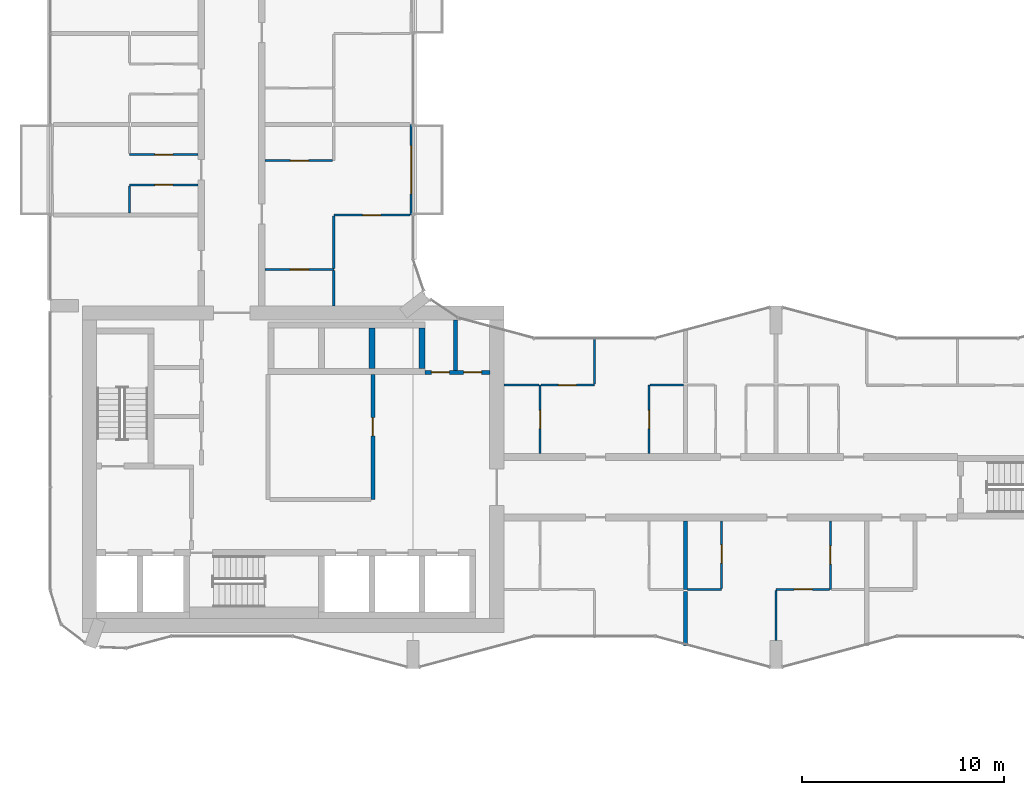
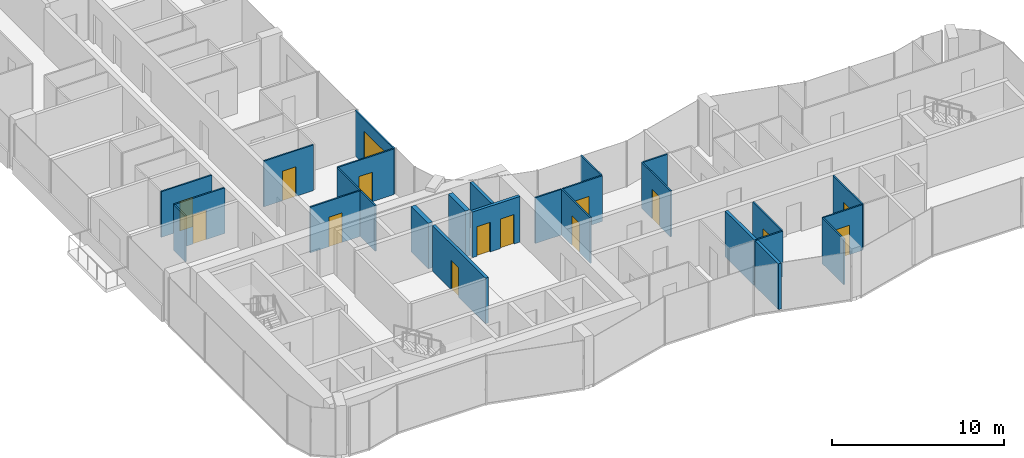
# One storey, part 14 of 23: 27 walls, 15 doors, 15 openings.
"""IFC4 building model written with IfcOpenShell, lengths in metres."""

import ifcopenshell
import ifcopenshell.guid

model = None  # the IFC model being written
_history = None  # IfcOwnerHistory: only IFC2X3 demands one
_inside = {}  # id of a spatial element -> (the spatial element, [elements in it])
_under = {}  # id of a project, library or spatial element -> (it, [spatial elements below it])
_declared = {}  # id of a project -> (the project, [libraries it declares])
_typed = {}  # id of a type object -> (the type object, [elements of that type])
_made_of = {}  # id of a material, layer set ... -> (it, [elements and type objects made of it])


def new_model(schema):
    """Start an empty IFC model of exactly this schema.

    Asked for "IFC4X3", IfcOpenShell would pick the latest addendum, in which some entities
    have other attributes; the version numbers below select the first issue.
    IFC2X3 requires an IfcOwnerHistory on every rooted entity: one is made here for all.
    """
    global model, _history
    if schema == "IFC4X3":
        model = ifcopenshell.file(schema_version=(4, 3, 0, 0))
    else:
        model = ifcopenshell.file(schema=schema)
    _inside.clear()
    _under.clear()
    _declared.clear()
    _typed.clear()
    _made_of.clear()
    _history = None
    if model.schema == "IFC2X3":
        org = make("IfcOrganization", Name="unknown")
        user = make(
            "IfcPersonAndOrganization",
            ThePerson=make("IfcPerson", FamilyName="unknown"),
            TheOrganization=org,
        )
        app = make(
            "IfcApplication",
            ApplicationDeveloper=org,
            Version="unknown",
            ApplicationFullName="unknown",
            ApplicationIdentifier="unknown",
        )
        _history = make(
            "IfcOwnerHistory",
            OwningUser=user,
            OwningApplication=app,
            ChangeAction="ADDED",
            CreationDate=0,
        )
    return model


def make(cls, **values):
    """One entity of the class cls with the attributes given. An attribute that is None is left unset."""
    return model.create_entity(
        cls, **{name: value for name, value in values.items() if value is not None}
    )


def rooted(cls, **values):
    """An entity with a GlobalId (a new one), such as an element, a storey or a relation."""
    return make(cls, GlobalId=ifcopenshell.guid.new(), OwnerHistory=_history, **values)


def si_unit(unit_type, name, prefix=None):
    """IfcSIUnit, for example si_unit("LENGTHUNIT", "METRE", prefix="MILLI")."""
    return make("IfcSIUnit", UnitType=unit_type, Prefix=prefix, Name=name)


def assignment(units):
    """IfcUnitAssignment: the units of a project."""
    return None if units is None else make("IfcUnitAssignment", Units=units)


def point(xyz):
    """IfcCartesianPoint."""
    return None if xyz is None else make("IfcCartesianPoint", Coordinates=xyz)


def direction(xyz):
    """IfcDirection."""
    return None if xyz is None else make("IfcDirection", DirectionRatios=xyz)


def frame(location, z_axis=None, x_axis=None):
    """IfcAxis2Placement3D, a coordinate frame: its origin and axes. An axis left out is left unset."""
    return make(
        "IfcAxis2Placement3D",
        Location=point(location),
        Axis=direction(z_axis),
        RefDirection=direction(x_axis),
    )


def frame_2d(location, x_axis=None):
    """IfcAxis2Placement2D, a coordinate frame in the plane: its origin and x axis."""
    return make(
        "IfcAxis2Placement2D", Location=point(location), RefDirection=direction(x_axis)
    )


def origin():
    """The frame at (0, 0, 0) with its axes left unset."""
    return frame((0.0, 0.0, 0.0))


def place(relative_to, where):
    """IfcLocalPlacement: puts the frame where relative to a parent placement (None: the world)."""
    return make(
        "IfcLocalPlacement", PlacementRelTo=relative_to, RelativePlacement=where
    )


def context(
    kind, dimensions, precision=None, world=None, true_north=None, identifier=None
):
    """IfcGeometricRepresentationContext, for example the 3D "Model" context."""
    return make(
        "IfcGeometricRepresentationContext",
        ContextIdentifier=identifier,
        ContextType=kind,
        CoordinateSpaceDimension=dimensions,
        Precision=precision,
        WorldCoordinateSystem=world,
        TrueNorth=true_north,
    )


def subcontext(parent, identifier, kind, view, scale=None):
    """IfcGeometricRepresentationSubContext, for example "Body" below "Model"."""
    return make(
        "IfcGeometricRepresentationSubContext",
        ContextIdentifier=identifier,
        ContextType=kind,
        ParentContext=parent,
        TargetScale=scale,
        TargetView=view,
    )


def project(units=None, contexts=None):
    """IfcProject with its units and contexts."""
    return rooted(
        "IfcProject",
        Name="project",
        RepresentationContexts=contexts,
        UnitsInContext=assignment(units),
    )


def spatial(cls, under=None, at=None, **own):
    """A site, building, storey or space (cls), placed at a placement, below another one or the project."""
    s = rooted(cls, ObjectPlacement=at, **own)
    if under is not None:
        _under.setdefault(under.id(), (under, []))[1].append(s)
    return s


def profile(cls, at=None, kind="AREA", **sizes):
    """A parametric profile (cls). Its sizes go by their IFC names, for example OverallWidth=200.0."""
    return make(cls, ProfileType=kind, Position=at, **sizes)


def rectangle(**sizes):
    """IfcRectangleProfileDef."""
    return profile("IfcRectangleProfileDef", **sizes)


def extrude(swept, where, along, depth):
    """IfcExtrudedAreaSolid: the profile swept, set in the frame where, extruded along a direction by depth."""
    return make(
        "IfcExtrudedAreaSolid",
        SweptArea=swept,
        Position=where,
        ExtrudedDirection=direction(along),
        Depth=depth,
    )


def shape(context_of_items, identifier, shape_type, items):
    """IfcShapeRepresentation: the items that make up one representation, for example the "Body"."""
    return make(
        "IfcShapeRepresentation",
        ContextOfItems=context_of_items,
        RepresentationIdentifier=identifier,
        RepresentationType=shape_type,
        Items=items,
    )


def material(Name=None, Category=None):
    """IfcMaterial."""
    return make("IfcMaterial", Name=Name, Category=Category)


def layer(
    of_material, thickness, ventilated=None, Name=None, Category=None, Priority=None
):
    """IfcMaterialLayer: one layer of a wall or slab, of a material (None: an air gap)."""
    return make(
        "IfcMaterialLayer",
        Material=of_material,
        LayerThickness=thickness,
        IsVentilated=ventilated,
        Name=Name,
        Category=Category,
        Priority=Priority,
    )


def layer_set(layers, Name=None):
    """IfcMaterialLayerSet."""
    return make("IfcMaterialLayerSet", MaterialLayers=layers, LayerSetName=Name)


def made_of(thing, what):
    """Note that an element or type object is made of a material, layer set ...; save() writes the relation."""
    if what is not None:
        _made_of.setdefault(what.id(), (what, []))[1].append(thing)
    return thing


def type_object(cls, material=None, **own):
    """A type object (cls), such as IfcWallType, which elements share."""
    return made_of(rooted(cls, **own), material)


def element(
    cls,
    number,
    at=None,
    inside=None,
    cuts=None,
    type_object=None,
    material=None,
    context=None,
    identifier="Body",
    shape_type=None,
    held_by="IfcProductDefinitionShape",
    body=None,
    shapes=None,
    **own,
):
    """One element of the class cls, such as IfcWall. Its Tag is "e" and its number.

    at: its placement. inside: the storey or other place that contains it. cuts: it is an
    opening in that element (IfcRelVoidsElement). A single representation is given by context,
    identifier, shape_type and body (its items); several are given by shapes. held_by: the class
    of the entity that holds the representations. save() writes the other relations.
    """
    e = rooted(cls, Tag="e%d" % number, ObjectPlacement=at, **own)
    if body is not None:
        shapes = [shape(context, identifier, shape_type, body)]
    if shapes is not None:
        e.Representation = make(held_by, Representations=shapes)
    if inside is not None:
        _inside.setdefault(inside.id(), (inside, []))[1].append(e)
    if cuts is not None:
        rooted(
            "IfcRelVoidsElement", RelatingBuildingElement=cuts, RelatedOpeningElement=e
        )
    if type_object is not None:
        _typed.setdefault(type_object.id(), (type_object, []))[1].append(e)
    return made_of(e, material)


def fill(opening, filler):
    """IfcRelFillsElement: the door or window that sits in an opening."""
    return rooted(
        "IfcRelFillsElement",
        RelatingOpeningElement=opening,
        RelatedBuildingElement=filler,
    )


def aggregate(whole, parts):
    """IfcRelAggregates: a whole, such as a stair, and the parts it consists of."""
    return rooted("IfcRelAggregates", RelatingObject=whole, RelatedObjects=parts)


def save(model, path):
    """Write the relations noted so far, then the file.

    IfcRelAggregates (storeys below a building ...), IfcRelContainedInSpatialStructure (elements
    in a storey), IfcRelDefinesByType, IfcRelAssociatesMaterial and IfcRelDeclares: one each for
    every whole, place, type object, material and project.
    """
    for whole, parts in _under.values():
        aggregate(whole, parts)
    for where, things in _inside.values():
        rooted(
            "IfcRelContainedInSpatialStructure",
            RelatedElements=things,
            RelatingStructure=where,
        )
    for kind, things in _typed.values():
        rooted("IfcRelDefinesByType", RelatedObjects=things, RelatingType=kind)
    for what, things in _made_of.values():
        rooted("IfcRelAssociatesMaterial", RelatedObjects=things, RelatingMaterial=what)
    for by, libraries in _declared.values():
        rooted("IfcRelDeclares", RelatingContext=by, RelatedDefinitions=libraries)
    model.write(path)


model = new_model("IFC4")

# Units and contexts
model_context = context("Model", 3, precision=1e-05, world=origin(), true_north=direction((0.0, 1.0)))
body_context = subcontext(model_context, "Body", "Model", "MODEL_VIEW")
ifc_project = project(units=[si_unit("LENGTHUNIT", "METRE"), si_unit("AREAUNIT", "SQUARE_METRE"), si_unit("VOLUMEUNIT", "CUBIC_METRE"), si_unit("PLANEANGLEUNIT", "RADIAN"), si_unit("MASSUNIT", "GRAM", prefix="KILO")], contexts=[model_context])

# Site, building, storey
site_placement = place(None, origin())
site = spatial("IfcSite", under=ifc_project, at=site_placement, CompositionType="ELEMENT")
building_placement = place(site_placement, origin())
building = spatial("IfcBuilding", under=site, at=building_placement, Name="Plateau Cross Towers", CompositionType="ELEMENT")
storey_placement = place(building_placement, frame((0.0, 0.0, 85.300048828125)))
storey = spatial("IfcBuildingStorey", under=building, at=storey_placement, Name="L21", CompositionType="ELEMENT", Elevation=85.300048828125)

# Wall, opening, door
ifc_material_1 = material(Name="Aluminium framed glazing", Category="aluminium")
ifc_layer_1 = layer(ifc_material_1, 0.10009765625)
ifc_layer_set_1 = layer_set([ifc_layer_1], Name="Aluminium framed glazing")
wall_type_1 = type_object("IfcWallType", Name="Balcony screen wall 100", PredefinedType="STANDARD", material=ifc_layer_set_1)
wall_1_placement = place(storey_placement, frame((17.89990234375, 27.0, 0.0), z_axis=(0.0, 0.0, 1.0), x_axis=(0.0, -1.0, 0.0)))
wall_1 = element("IfcWall", 1, at=wall_1_placement, inside=storey, type_object=wall_type_1, Name="Balcony screen wall A-BAL-L21-03", PredefinedType="STANDARD", context=body_context, shape_type="SweptSolid", body=[
    extrude(rectangle(XDim=4.5, YDim=0.10009765625, at=frame_2d((2.25, 0.0))), origin(), (0.0, 0.0, 1.0), 3.25),
])
opening_1_placement = place(wall_1_placement, frame((1.050048828125, 0.0, 0.0)))
opening_1 = element("IfcOpeningElement", 2, at=opening_1_placement, cuts=wall_1, Name="Opening D-B24", PredefinedType="OPENING", context=body_context, shape_type="SweptSolid", body=[
    extrude(rectangle(XDim=2.39990234375, YDim=2.39990234375, at=frame_2d((1.199951171875, 1.199951171875))), frame((0.0, 0.06005859375, 0.0), z_axis=(0.0, -1.0, 0.0), x_axis=(1.0, 0.0, 0.0)), (0.0, 0.0, 1.0), 0.1201171875),
])
ifc_material_2 = material(Name="Aluminium frame, double glazing", Category="aluminium")
door_type_1 = type_object("IfcDoorType", Name="Balcony sliding door 2400", OperationType="NOTDEFINED", PredefinedType="DOOR", material=ifc_material_2)
door_1_placement = place(opening_1_placement, origin())
door_1 = element("IfcDoor", 3, at=door_1_placement, inside=storey, type_object=door_type_1, Name="Balcony door A-BAL-L21-03", OperationType="SINGLE_SWING_LEFT", OverallHeight=2.39990234375, OverallWidth=2.39990234375, PredefinedType="DOOR", context=body_context, shape_type="SweptSolid", body=[
    extrude(rectangle(XDim=2.39990234375, YDim=2.39990234375, at=frame_2d((1.199951171875, 1.199951171875))), frame((0.0, 0.02490234375, 0.0), z_axis=(0.0, -1.0, 0.0), x_axis=(1.0, 0.0, 0.0)), (0.0, 0.0, 1.0), 0.050048828125),
])
fill(opening_1, door_1)

ifc_material_3 = material(Name="Concrete block, plastered both sides", Category="concrete")
ifc_layer_2 = layer(ifc_material_3, 0.199951171875)
ifc_layer_set_2 = layer_set([ifc_layer_2], Name="Concrete block, plastered both sides")
wall_type_2 = type_object("IfcWallType", Name="Core partition 200", PredefinedType="PARTITIONING", material=ifc_layer_set_2)
wall_2_placement = place(storey_placement, frame((16.0, 8.39990234375, 0.0), z_axis=(0.0, 0.0, 1.0), x_axis=(0.0, 1.0, 0.0)))
wall_2 = element("IfcWall", 4, at=wall_2_placement, inside=storey, type_object=wall_type_2, Name="Core partition", PredefinedType="PARTITIONING", context=body_context, shape_type="SweptSolid", body=[
    extrude(rectangle(XDim=6.2001953125, YDim=0.199951171875, at=frame_2d((3.10009765625, 0.0))), origin(), (0.0, 0.0, 1.0), 3.25),
])
opening_2_placement = place(wall_2_placement, frame((3.14990234375, 0.0, 0.0)))
opening_2 = element("IfcOpeningElement", 5, at=opening_2_placement, cuts=wall_2, Name="Opening RD1", PredefinedType="OPENING", context=body_context, shape_type="SweptSolid", body=[
    extrude(rectangle(XDim=0.89990234375, YDim=2.10009765625, at=frame_2d((0.449951171875, 1.050048828125))), frame((0.0, 0.10986328125, 0.0), z_axis=(0.0, -1.0, 0.0), x_axis=(1.0, 0.0, 0.0)), (0.0, 0.0, 1.0), 0.219970703125),
])
ifc_material_4 = material(Name="Timber, fire-resisting leaf", Category="wood")
door_type_2 = type_object("IfcDoorType", Name="Core service door 900", OperationType="NOTDEFINED", PredefinedType="DOOR", material=ifc_material_4)
door_2_placement = place(opening_2_placement, origin())
door_2 = element("IfcDoor", 6, at=door_2_placement, inside=storey, type_object=door_type_2, Name="Core service door RD1", OperationType="SINGLE_SWING_LEFT", OverallHeight=2.10009765625, OverallWidth=0.89990234375, PredefinedType="DOOR", context=body_context, shape_type="SweptSolid", body=[
    extrude(rectangle(XDim=0.89990234375, YDim=2.10009765625, at=frame_2d((0.449951171875, 1.050048828125))), frame((0.0, 0.02490234375, 0.0), z_axis=(0.0, -1.0, 0.0), x_axis=(1.0, 0.0, 0.0)), (0.0, 0.0, 1.0), 0.050048828125),
])
fill(opening_2, door_2)

# Wall, openings, doors
wall_3_placement = place(storey_placement, frame((18.60009765625, 14.699951171875, 0.0), z_axis=(0.0, 0.0, 1.0), x_axis=(1.0, 0.0, 0.0)))
wall_3 = element("IfcWall", 7, at=wall_3_placement, inside=storey, type_object=wall_type_2, Name="Core partition", PredefinedType="PARTITIONING", context=body_context, shape_type="SweptSolid", body=[
    extrude(rectangle(XDim=3.199951171875, YDim=0.199951171875, at=frame_2d((1.60009765625, 0.0))), origin(), (0.0, 0.0, 1.0), 3.25),
])
opening_3_placement = place(wall_3_placement, frame((0.300048828125, 0.0, 0.0)))
opening_3 = element("IfcOpeningElement", 8, at=opening_3_placement, cuts=wall_3, Name="Opening RD2", PredefinedType="OPENING", context=body_context, shape_type="SweptSolid", body=[
    extrude(rectangle(XDim=0.89990234375, YDim=2.10009765625, at=frame_2d((0.449951171875, 1.050048828125))), frame((0.0, 0.10986328125, 0.0), z_axis=(0.0, -1.0, 0.0), x_axis=(1.0, 0.0, 0.0)), (0.0, 0.0, 1.0), 0.219970703125),
])
opening_4_placement = place(wall_3_placement, frame((1.89990234375, 0.0, 0.0)))
opening_4 = element("IfcOpeningElement", 9, at=opening_4_placement, cuts=wall_3, Name="Opening RD2", PredefinedType="OPENING", context=body_context, shape_type="SweptSolid", body=[
    extrude(rectangle(XDim=0.89990234375, YDim=2.10009765625, at=frame_2d((0.449951171875, 1.050048828125))), frame((0.0, 0.10986328125, 0.0), z_axis=(0.0, -1.0, 0.0), x_axis=(1.0, 0.0, 0.0)), (0.0, 0.0, 1.0), 0.219970703125),
])
ifc_material_5 = material(Name="Steel, fire-resisting leaf", Category="steel")
door_type_3 = type_object("IfcDoorType", Name="Core riser door 900", OperationType="NOTDEFINED", PredefinedType="DOOR", material=ifc_material_5)
door_3_placement = place(opening_3_placement, origin())
door_3 = element("IfcDoor", 10, at=door_3_placement, inside=storey, type_object=door_type_3, Name="Core riser door RD2", OperationType="SINGLE_SWING_LEFT", OverallHeight=2.10009765625, OverallWidth=0.89990234375, PredefinedType="DOOR", context=body_context, shape_type="SweptSolid", body=[
    extrude(rectangle(XDim=0.89990234375, YDim=2.10009765625, at=frame_2d((0.449951171875, 1.050048828125))), frame((0.0, 0.02490234375, 0.0), z_axis=(0.0, -1.0, 0.0), x_axis=(1.0, 0.0, 0.0)), (0.0, 0.0, 1.0), 0.050048828125),
])
fill(opening_3, door_3)
door_4_placement = place(opening_4_placement, origin())
door_4 = element("IfcDoor", 11, at=door_4_placement, inside=storey, type_object=door_type_3, Name="Core riser door RD2", OperationType="SINGLE_SWING_LEFT", OverallHeight=2.10009765625, OverallWidth=0.89990234375, PredefinedType="DOOR", context=body_context, shape_type="SweptSolid", body=[
    extrude(rectangle(XDim=0.89990234375, YDim=2.10009765625, at=frame_2d((0.449951171875, 1.050048828125))), frame((0.0, 0.02490234375, 0.0), z_axis=(0.0, -1.0, 0.0), x_axis=(1.0, 0.0, 0.0)), (0.0, 0.0, 1.0), 0.050048828125),
])
fill(opening_4, door_4)

# Walls
wall_4_placement = place(storey_placement, frame((20.10009765625, 14.800048828125, 0.0), z_axis=(0.0, 0.0, 1.0), x_axis=(0.0, 1.0, 0.0)))
element("IfcWall", 12, at=wall_4_placement, inside=storey, type_object=wall_type_2, Name="Core partition", PredefinedType="PARTITIONING", context=body_context, shape_type="SweptSolid", body=[
    extrude(rectangle(XDim=2.5, YDim=0.199951171875, at=frame_2d((1.25, 0.0))), origin(), (0.0, 0.0, 1.0), 3.25),
])
ifc_material_6 = material(Name="Concrete C60/75", Category="concrete")
ifc_layer_3 = layer(ifc_material_6, 0.300048828125)
ifc_layer_set_3 = layer_set([ifc_layer_3], Name="Concrete C60/75")
wall_type_3 = type_object("IfcWallType", Name="Core shaft wall 300", PredefinedType="SHEAR", material=ifc_layer_set_3)
for number, where, z_axis, x_axis, name in (
    (13, (15.949951171875, 14.89990234375, 0.0), (0.0, 0.0, 1.0), (0.0, 1.0, 0.0), "A-nb-v3@L21"),
    (14, (18.449951171875, 14.89990234375, 0.0), (0.0, 0.0, 1.0), (0.0, 1.0, 0.0), "A-nb-v4@L21"),
):
    element("IfcWall", number, at=place(storey_placement, frame(where, z_axis=z_axis, x_axis=x_axis)), inside=storey, type_object=wall_type_3, Name=name, PredefinedType="SHEAR", context=body_context, shape_type="SweptSolid", body=[
        extrude(rectangle(XDim=2.0, YDim=0.300048828125, at=frame_2d((1.0, 0.0))), origin(), (0.0, 0.0, 1.0), 3.25),
    ])

# Wall, opening, door
ifc_material_7 = material(Name="Gypsum board on steel studs", Category="steel")
ifc_layer_4 = layer(ifc_material_7, 0.10009765625)
ifc_layer_set_4 = layer_set([ifc_layer_4], Name="Gypsum board on steel studs")
wall_type_4 = type_object("IfcWallType", Name="Flat partition 100", PredefinedType="PARTITIONING", material=ifc_layer_set_4)
wall_5_placement = place(storey_placement, frame((38.64990234375, 3.9375, 0.0), z_axis=(0.0, 0.0, 1.0), x_axis=(-1.0, 0.0, 0.0)))
wall_5 = element("IfcWall", 15, at=wall_5_placement, inside=storey, type_object=wall_type_4, Name="Partition wall", PredefinedType="PARTITIONING", context=body_context, shape_type="SweptSolid", body=[
    extrude(rectangle(XDim=2.64990234375, YDim=0.10009765625, at=frame_2d((1.324951171875, 0.0))), origin(), (0.0, 0.0, 1.0), 3.25),
])
opening_5_placement = place(wall_5_placement, frame((0.85009765625, 0.0, 0.0)))
opening_5 = element("IfcOpeningElement", 16, at=opening_5_placement, cuts=wall_5, Name="Opening 21-23", PredefinedType="OPENING", context=body_context, shape_type="SweptSolid", body=[
    extrude(rectangle(XDim=0.89990234375, YDim=2.10009765625, at=frame_2d((0.449951171875, 1.050048828125))), frame((0.0, 0.06005859375, 0.0), z_axis=(0.0, -1.0, 0.0), x_axis=(1.0, 0.0, 0.0)), (0.0, 0.0, 1.0), 0.1201171875),
])
ifc_material_8 = material(Name="Timber leaf", Category="wood")
door_type_4 = type_object("IfcDoorType", Name="Flat room door 900", OperationType="NOTDEFINED", PredefinedType="DOOR", material=ifc_material_8)
door_5_placement = place(opening_5_placement, origin())
door_5 = element("IfcDoor", 17, at=door_5_placement, inside=storey, type_object=door_type_4, Name="Door 21-23", OperationType="SINGLE_SWING_LEFT", OverallHeight=2.10009765625, OverallWidth=0.89990234375, PredefinedType="DOOR", context=body_context, shape_type="SweptSolid", body=[
    extrude(rectangle(XDim=0.89990234375, YDim=2.10009765625, at=frame_2d((0.449951171875, 1.050048828125))), frame((0.0, 0.02490234375, 0.0), z_axis=(0.0, -1.0, 0.0), x_axis=(1.0, 0.0, 0.0)), (0.0, 0.0, 1.0), 0.050048828125),
])
fill(opening_5, door_5)

# Walls
wall_6_placement = place(storey_placement, frame((31.60009765625, 3.9375, 0.0), z_axis=(0.0, 0.0, 1.0), x_axis=(1.0, 0.0, 0.0)))
element("IfcWall", 18, at=wall_6_placement, inside=storey, type_object=wall_type_4, Name="Partition wall", PredefinedType="PARTITIONING", context=body_context, shape_type="SweptSolid", body=[
    extrude(rectangle(XDim=1.699951171875, YDim=0.10009765625, at=frame_2d((0.85009765625, 0.0))), origin(), (0.0, 0.0, 1.0), 3.25),
])
wall_7_placement = place(storey_placement, frame((24.25, 14.0625, 0.0), z_axis=(0.0, 0.0, 1.0), x_axis=(-1.0, 0.0, 0.0)))
element("IfcWall", 19, at=wall_7_placement, inside=storey, type_object=wall_type_4, Name="Partition wall", PredefinedType="PARTITIONING", context=body_context, shape_type="SweptSolid", body=[
    extrude(rectangle(XDim=1.75, YDim=0.10009765625, at=frame_2d((0.875, 0.0))), origin(), (0.0, 0.0, 1.0), 3.25),
])
wall_8_placement = place(storey_placement, frame((31.39990234375, 14.0625, 0.0), z_axis=(0.0, 0.0, 1.0), x_axis=(-1.0, 0.0, 0.0)))
element("IfcWall", 20, at=wall_8_placement, inside=storey, type_object=wall_type_4, Name="Partition wall", PredefinedType="PARTITIONING", context=body_context, shape_type="SweptSolid", body=[
    extrude(rectangle(XDim=1.64990234375, YDim=0.10009765625, at=frame_2d((0.824951171875, 0.0))), origin(), (0.0, 0.0, 1.0), 3.25),
])

# Wall, opening, door
wall_9_placement = place(storey_placement, frame((24.35009765625, 14.0625, 0.0), z_axis=(0.0, 0.0, 1.0), x_axis=(1.0, 0.0, 0.0)))
wall_9 = element("IfcWall", 21, at=wall_9_placement, inside=storey, type_object=wall_type_4, Name="Partition wall", PredefinedType="PARTITIONING", context=body_context, shape_type="SweptSolid", body=[
    extrude(rectangle(XDim=2.64990234375, YDim=0.10009765625, at=frame_2d((1.324951171875, 0.0))), origin(), (0.0, 0.0, 1.0), 3.25),
])
opening_6_placement = place(wall_9_placement, frame((0.85009765625, 0.0, 0.0)))
opening_6 = element("IfcOpeningElement", 22, at=opening_6_placement, cuts=wall_9, Name="Opening 21-26", PredefinedType="OPENING", context=body_context, shape_type="SweptSolid", body=[
    extrude(rectangle(XDim=0.89990234375, YDim=2.10009765625, at=frame_2d((0.449951171875, 1.050048828125))), frame((0.0, 0.06005859375, 0.0), z_axis=(0.0, -1.0, 0.0), x_axis=(1.0, 0.0, 0.0)), (0.0, 0.0, 1.0), 0.1201171875),
])
door_6_placement = place(opening_6_placement, origin())
door_6 = element("IfcDoor", 23, at=door_6_placement, inside=storey, type_object=door_type_4, Name="Door 21-26", OperationType="SINGLE_SWING_LEFT", OverallHeight=2.10009765625, OverallWidth=0.89990234375, PredefinedType="DOOR", context=body_context, shape_type="SweptSolid", body=[
    extrude(rectangle(XDim=0.89990234375, YDim=2.10009765625, at=frame_2d((0.449951171875, 1.050048828125))), frame((0.0, 0.02490234375, 0.0), z_axis=(0.0, -1.0, 0.0), x_axis=(1.0, 0.0, 0.0)), (0.0, 0.0, 1.0), 0.050048828125),
])
fill(opening_6, door_6)

wall_10_placement = place(storey_placement, frame((14.0625, 19.800048828125, 0.0), z_axis=(0.0, 0.0, 1.0), x_axis=(-1.0, 0.0, 0.0)))
wall_10 = element("IfcWall", 24, at=wall_10_placement, inside=storey, type_object=wall_type_4, Name="Partition wall", PredefinedType="PARTITIONING", context=body_context, shape_type="SweptSolid", body=[
    extrude(rectangle(XDim=3.39990234375, YDim=0.10009765625, at=frame_2d((1.699951171875, 0.0))), origin(), (0.0, 0.0, 1.0), 3.25),
])
opening_7_placement = place(wall_10_placement, frame((1.25, 0.0, 0.0)))
opening_7 = element("IfcOpeningElement", 25, at=opening_7_placement, cuts=wall_10, Name="Opening 21-43", PredefinedType="OPENING", context=body_context, shape_type="SweptSolid", body=[
    extrude(rectangle(XDim=0.89990234375, YDim=2.10009765625, at=frame_2d((0.449951171875, 1.050048828125))), frame((0.0, 0.06005859375, 0.0), z_axis=(0.0, -1.0, 0.0), x_axis=(1.0, 0.0, 0.0)), (0.0, 0.0, 1.0), 0.1201171875),
])
door_7_placement = place(opening_7_placement, origin())
door_7 = element("IfcDoor", 26, at=door_7_placement, inside=storey, type_object=door_type_4, Name="Door 21-43", OperationType="SINGLE_SWING_LEFT", OverallHeight=2.10009765625, OverallWidth=0.89990234375, PredefinedType="DOOR", context=body_context, shape_type="SweptSolid", body=[
    extrude(rectangle(XDim=0.89990234375, YDim=2.10009765625, at=frame_2d((0.449951171875, 1.050048828125))), frame((0.0, 0.02490234375, 0.0), z_axis=(0.0, -1.0, 0.0), x_axis=(1.0, 0.0, 0.0)), (0.0, 0.0, 1.0), 0.050048828125),
])
fill(opening_7, door_7)

wall_11_placement = place(storey_placement, frame((17.85009765625, 22.5, 0.0), z_axis=(0.0, 0.0, 1.0), x_axis=(-1.0, 0.0, 0.0)))
wall_11 = element("IfcWall", 27, at=wall_11_placement, inside=storey, type_object=wall_type_4, Name="Partition wall", PredefinedType="PARTITIONING", context=body_context, shape_type="SweptSolid", body=[
    extrude(rectangle(XDim=3.78759765625, YDim=0.10009765625, at=frame_2d((1.893798828125, 0.0))), origin(), (0.0, 0.0, 1.0), 3.25),
])
opening_8_placement = place(wall_11_placement, frame((1.449951171875, 0.0, 0.0)))
opening_8 = element("IfcOpeningElement", 28, at=opening_8_placement, cuts=wall_11, Name="Opening 21-45", PredefinedType="OPENING", context=body_context, shape_type="SweptSolid", body=[
    extrude(rectangle(XDim=0.89990234375, YDim=2.10009765625, at=frame_2d((0.449951171875, 1.050048828125))), frame((0.0, 0.06005859375, 0.0), z_axis=(0.0, -1.0, 0.0), x_axis=(1.0, 0.0, 0.0)), (0.0, 0.0, 1.0), 0.1201171875),
])
door_8_placement = place(opening_8_placement, origin())
door_8 = element("IfcDoor", 29, at=door_8_placement, inside=storey, type_object=door_type_4, Name="Door 21-45", OperationType="SINGLE_SWING_RIGHT", OverallHeight=2.10009765625, OverallWidth=0.89990234375, PredefinedType="DOOR", context=body_context, shape_type="SweptSolid", body=[
    extrude(rectangle(XDim=0.89990234375, YDim=2.10009765625, at=frame_2d((0.449951171875, 1.050048828125))), frame((0.0, 0.02490234375, 0.0), z_axis=(0.0, -1.0, 0.0), x_axis=(1.0, 0.0, 0.0)), (0.0, 0.0, 1.0), 0.050048828125),
])
fill(opening_8, door_8)

wall_12_placement = place(storey_placement, frame((7.33740234375, 24.0, 0.0), z_axis=(0.0, 0.0, 1.0), x_axis=(-1.0, 0.0, 0.0)))
wall_12 = element("IfcWall", 30, at=wall_12_placement, inside=storey, type_object=wall_type_4, Name="Partition wall", PredefinedType="PARTITIONING", context=body_context, shape_type="SweptSolid", body=[
    extrude(rectangle(XDim=3.39990234375, YDim=0.10009765625, at=frame_2d((1.699951171875, 0.0))), origin(), (0.0, 0.0, 1.0), 3.25),
])
opening_9_placement = place(wall_12_placement, frame((1.25, 0.0, 0.0)))
opening_9 = element("IfcOpeningElement", 31, at=opening_9_placement, cuts=wall_12, Name="Opening 21-34", PredefinedType="OPENING", context=body_context, shape_type="SweptSolid", body=[
    extrude(rectangle(XDim=0.89990234375, YDim=2.10009765625, at=frame_2d((0.449951171875, 1.050048828125))), frame((0.0, 0.06005859375, 0.0), z_axis=(0.0, -1.0, 0.0), x_axis=(1.0, 0.0, 0.0)), (0.0, 0.0, 1.0), 0.1201171875),
])
door_9_placement = place(opening_9_placement, origin())
door_9 = element("IfcDoor", 32, at=door_9_placement, inside=storey, type_object=door_type_4, Name="Door 21-34", OperationType="SINGLE_SWING_LEFT", OverallHeight=2.10009765625, OverallWidth=0.89990234375, PredefinedType="DOOR", context=body_context, shape_type="SweptSolid", body=[
    extrude(rectangle(XDim=0.89990234375, YDim=2.10009765625, at=frame_2d((0.449951171875, 1.050048828125))), frame((0.0, 0.02490234375, 0.0), z_axis=(0.0, -1.0, 0.0), x_axis=(1.0, 0.0, 0.0)), (0.0, 0.0, 1.0), 0.050048828125),
])
fill(opening_9, door_9)

wall_13_placement = place(storey_placement, frame((10.66259765625, 25.199951171875, 0.0), z_axis=(0.0, 0.0, 1.0), x_axis=(1.0, 0.0, 0.0)))
wall_13 = element("IfcWall", 33, at=wall_13_placement, inside=storey, type_object=wall_type_4, Name="Partition wall", PredefinedType="PARTITIONING", context=body_context, shape_type="SweptSolid", body=[
    extrude(rectangle(XDim=3.349853515625, YDim=0.10009765625, at=frame_2d((1.6748046875, 0.0))), origin(), (0.0, 0.0, 1.0), 3.25),
])
opening_10_placement = place(wall_13_placement, frame((1.25, 0.0, 0.0)))
opening_10 = element("IfcOpeningElement", 34, at=opening_10_placement, cuts=wall_13, Name="Opening 21-44", PredefinedType="OPENING", context=body_context, shape_type="SweptSolid", body=[
    extrude(rectangle(XDim=0.89990234375, YDim=2.10009765625, at=frame_2d((0.449951171875, 1.050048828125))), frame((0.0, 0.06005859375, 0.0), z_axis=(0.0, -1.0, 0.0), x_axis=(1.0, 0.0, 0.0)), (0.0, 0.0, 1.0), 0.1201171875),
])
door_10_placement = place(opening_10_placement, origin())
door_10 = element("IfcDoor", 35, at=door_10_placement, inside=storey, type_object=door_type_4, Name="Door 21-44", OperationType="SINGLE_SWING_RIGHT", OverallHeight=2.10009765625, OverallWidth=0.89990234375, PredefinedType="DOOR", context=body_context, shape_type="SweptSolid", body=[
    extrude(rectangle(XDim=0.89990234375, YDim=2.10009765625, at=frame_2d((0.449951171875, 1.050048828125))), frame((0.0, 0.02490234375, 0.0), z_axis=(0.0, -1.0, 0.0), x_axis=(1.0, 0.0, 0.0)), (0.0, 0.0, 1.0), 0.050048828125),
])
fill(opening_10, door_10)

wall_14_placement = place(storey_placement, frame((3.9375, 25.5, 0.0), z_axis=(0.0, 0.0, 1.0), x_axis=(1.0, 0.0, 0.0)))
wall_14 = element("IfcWall", 36, at=wall_14_placement, inside=storey, type_object=wall_type_4, Name="Partition wall", PredefinedType="PARTITIONING", context=body_context, shape_type="SweptSolid", body=[
    extrude(rectangle(XDim=3.39990234375, YDim=0.10009765625, at=frame_2d((1.699951171875, 0.0))), origin(), (0.0, 0.0, 1.0), 3.25),
])
opening_11_placement = place(wall_14_placement, frame((1.25, 0.0, 0.0)))
opening_11 = element("IfcOpeningElement", 37, at=opening_11_placement, cuts=wall_14, Name="Opening 21-35", PredefinedType="OPENING", context=body_context, shape_type="SweptSolid", body=[
    extrude(rectangle(XDim=0.89990234375, YDim=2.10009765625, at=frame_2d((0.449951171875, 1.050048828125))), frame((0.0, 0.06005859375, 0.0), z_axis=(0.0, -1.0, 0.0), x_axis=(1.0, 0.0, 0.0)), (0.0, 0.0, 1.0), 0.1201171875),
])
door_11_placement = place(opening_11_placement, origin())
door_11 = element("IfcDoor", 38, at=door_11_placement, inside=storey, type_object=door_type_4, Name="Door 21-35", OperationType="SINGLE_SWING_LEFT", OverallHeight=2.10009765625, OverallWidth=0.89990234375, PredefinedType="DOOR", context=body_context, shape_type="SweptSolid", body=[
    extrude(rectangle(XDim=0.89990234375, YDim=2.10009765625, at=frame_2d((0.449951171875, 1.050048828125))), frame((0.0, 0.02490234375, 0.0), z_axis=(0.0, -1.0, 0.0), x_axis=(1.0, 0.0, 0.0)), (0.0, 0.0, 1.0), 0.050048828125),
])
fill(opening_11, door_11)

# Walls
wall_15_placement = place(storey_placement, frame((3.9375, 23.949951171875, 0.0), z_axis=(0.0, 0.0, 1.0), x_axis=(0.0, -1.0, 0.0)))
element("IfcWall", 39, at=wall_15_placement, inside=storey, type_object=wall_type_4, Name="Partition wall", PredefinedType="PARTITIONING", context=body_context, shape_type="SweptSolid", body=[
    extrude(rectangle(XDim=1.349853515625, YDim=0.10009765625, at=frame_2d((0.6748046875, 0.0))), origin(), (0.0, 0.0, 1.0), 3.25),
])
wall_16_placement = place(storey_placement, frame((14.0625, 22.449951171875, 0.0), z_axis=(0.0, 0.0, 1.0), x_axis=(0.0, -1.0, 0.0)))
element("IfcWall", 40, at=wall_16_placement, inside=storey, type_object=wall_type_4, Name="Partition wall", PredefinedType="PARTITIONING", context=body_context, shape_type="SweptSolid", body=[
    extrude(rectangle(XDim=2.599853515625, YDim=0.10009765625, at=frame_2d((1.2998046875, 0.0))), origin(), (0.0, 0.0, 1.0), 3.25),
])
wall_17_placement = place(storey_placement, frame((14.0625, 18.0, 0.0), z_axis=(0.0, 0.0, 1.0), x_axis=(0.0, 1.0, 0.0)))
element("IfcWall", 41, at=wall_17_placement, inside=storey, type_object=wall_type_4, Name="Partition wall", PredefinedType="PARTITIONING", context=body_context, shape_type="SweptSolid", body=[
    extrude(rectangle(XDim=1.75, YDim=0.10009765625, at=frame_2d((0.875, 0.0))), origin(), (0.0, 0.0, 1.0), 3.25),
])

# Wall, opening, door
wall_18_placement = place(storey_placement, frame((24.300048828125, 10.66259765625, 0.0), z_axis=(0.0, 0.0, 1.0), x_axis=(0.0, 1.0, 0.0)))
wall_18 = element("IfcWall", 42, at=wall_18_placement, inside=storey, type_object=wall_type_4, Name="Partition wall", PredefinedType="PARTITIONING", context=body_context, shape_type="SweptSolid", body=[
    extrude(rectangle(XDim=3.39990234375, YDim=0.10009765625, at=frame_2d((1.699951171875, 0.0))), origin(), (0.0, 0.0, 1.0), 3.25),
])
opening_12_placement = place(wall_18_placement, frame((1.25, 0.0, 0.0)))
opening_12 = element("IfcOpeningElement", 43, at=opening_12_placement, cuts=wall_18, Name="Opening 21-24", PredefinedType="OPENING", context=body_context, shape_type="SweptSolid", body=[
    extrude(rectangle(XDim=0.89990234375, YDim=2.10009765625, at=frame_2d((0.449951171875, 1.050048828125))), frame((0.0, 0.06005859375, 0.0), z_axis=(0.0, -1.0, 0.0), x_axis=(1.0, 0.0, 0.0)), (0.0, 0.0, 1.0), 0.1201171875),
])
door_12_placement = place(opening_12_placement, origin())
door_12 = element("IfcDoor", 44, at=door_12_placement, inside=storey, type_object=door_type_4, Name="Door 21-24", OperationType="SINGLE_SWING_LEFT", OverallHeight=2.10009765625, OverallWidth=0.89990234375, PredefinedType="DOOR", context=body_context, shape_type="SweptSolid", body=[
    extrude(rectangle(XDim=0.89990234375, YDim=2.10009765625, at=frame_2d((0.449951171875, 1.050048828125))), frame((0.0, 0.02490234375, 0.0), z_axis=(0.0, -1.0, 0.0), x_axis=(1.0, 0.0, 0.0)), (0.0, 0.0, 1.0), 0.050048828125),
])
fill(opening_12, door_12)

# Wall
wall_19_placement = place(storey_placement, frame((27.0, 14.112548828125, 0.0), z_axis=(0.0, 0.0, 1.0), x_axis=(0.0, 1.0, 0.0)))
element("IfcWall", 45, at=wall_19_placement, inside=storey, type_object=wall_type_4, Name="Partition wall", PredefinedType="PARTITIONING", context=body_context, shape_type="SweptSolid", body=[
    extrude(rectangle(XDim=2.360595703125, YDim=0.10009765625, at=frame_2d((1.18017578125, 0.0))), origin(), (0.0, 0.0, 1.0), 3.25),
])

# Wall, opening, door
wall_20_placement = place(storey_placement, frame((29.699951171875, 14.0625, 0.0), z_axis=(0.0, 0.0, 1.0), x_axis=(0.0, -1.0, 0.0)))
wall_20 = element("IfcWall", 46, at=wall_20_placement, inside=storey, type_object=wall_type_4, Name="Partition wall", PredefinedType="PARTITIONING", context=body_context, shape_type="SweptSolid", body=[
    extrude(rectangle(XDim=3.39990234375, YDim=0.10009765625, at=frame_2d((1.699951171875, 0.0))), origin(), (0.0, 0.0, 1.0), 3.25),
])
opening_13_placement = place(wall_20_placement, frame((1.25, 0.0, 0.0)))
opening_13 = element("IfcOpeningElement", 47, at=opening_13_placement, cuts=wall_20, Name="Opening 21-25", PredefinedType="OPENING", context=body_context, shape_type="SweptSolid", body=[
    extrude(rectangle(XDim=0.89990234375, YDim=2.10009765625, at=frame_2d((0.449951171875, 1.050048828125))), frame((0.0, 0.06005859375, 0.0), z_axis=(0.0, -1.0, 0.0), x_axis=(1.0, 0.0, 0.0)), (0.0, 0.0, 1.0), 0.1201171875),
])
door_13_placement = place(opening_13_placement, origin())
door_13 = element("IfcDoor", 48, at=door_13_placement, inside=storey, type_object=door_type_4, Name="Door 21-25", OperationType="SINGLE_SWING_LEFT", OverallHeight=2.10009765625, OverallWidth=0.89990234375, PredefinedType="DOOR", context=body_context, shape_type="SweptSolid", body=[
    extrude(rectangle(XDim=0.89990234375, YDim=2.10009765625, at=frame_2d((0.449951171875, 1.050048828125))), frame((0.0, 0.02490234375, 0.0), z_axis=(0.0, -1.0, 0.0), x_axis=(1.0, 0.0, 0.0)), (0.0, 0.0, 1.0), 0.050048828125),
])
fill(opening_13, door_13)

wall_21_placement = place(storey_placement, frame((33.300048828125, 3.987548828125, 0.0), z_axis=(0.0, 0.0, 1.0), x_axis=(0.0, 1.0, 0.0)))
wall_21 = element("IfcWall", 49, at=wall_21_placement, inside=storey, type_object=wall_type_4, Name="Partition wall", PredefinedType="PARTITIONING", context=body_context, shape_type="SweptSolid", body=[
    extrude(rectangle(XDim=3.349853515625, YDim=0.10009765625, at=frame_2d((1.6748046875, 0.0))), origin(), (0.0, 0.0, 1.0), 3.25),
])
opening_14_placement = place(wall_21_placement, frame((1.25, 0.0, 0.0)))
opening_14 = element("IfcOpeningElement", 50, at=opening_14_placement, cuts=wall_21, Name="Opening 21-21", PredefinedType="OPENING", context=body_context, shape_type="SweptSolid", body=[
    extrude(rectangle(XDim=0.89990234375, YDim=2.10009765625, at=frame_2d((0.449951171875, 1.050048828125))), frame((0.0, 0.06005859375, 0.0), z_axis=(0.0, -1.0, 0.0), x_axis=(1.0, 0.0, 0.0)), (0.0, 0.0, 1.0), 0.1201171875),
])
door_14_placement = place(opening_14_placement, origin())
door_14 = element("IfcDoor", 51, at=door_14_placement, inside=storey, type_object=door_type_4, Name="Door 21-21", OperationType="SINGLE_SWING_RIGHT", OverallHeight=2.10009765625, OverallWidth=0.89990234375, PredefinedType="DOOR", context=body_context, shape_type="SweptSolid", body=[
    extrude(rectangle(XDim=0.89990234375, YDim=2.10009765625, at=frame_2d((0.449951171875, 1.050048828125))), frame((0.0, 0.02490234375, 0.0), z_axis=(0.0, -1.0, 0.0), x_axis=(1.0, 0.0, 0.0)), (0.0, 0.0, 1.0), 0.050048828125),
])
fill(opening_14, door_14)

# Wall
wall_22_placement = place(storey_placement, frame((36.0, 3.887451171875, 0.0), z_axis=(0.0, 0.0, 1.0), x_axis=(0.0, -1.0, 0.0)))
element("IfcWall", 52, at=wall_22_placement, inside=storey, type_object=wall_type_4, Name="Partition wall", PredefinedType="PARTITIONING", context=body_context, shape_type="SweptSolid", body=[
    extrude(rectangle(XDim=2.487548828125, YDim=0.10009765625, at=frame_2d((1.24365234375, 0.0))), origin(), (0.0, 0.0, 1.0), 3.25),
])

# Wall, opening, door
wall_23_placement = place(storey_placement, frame((38.699951171875, 7.33740234375, 0.0), z_axis=(0.0, 0.0, 1.0), x_axis=(0.0, -1.0, 0.0)))
wall_23 = element("IfcWall", 53, at=wall_23_placement, inside=storey, type_object=wall_type_4, Name="Partition wall", PredefinedType="PARTITIONING", context=body_context, shape_type="SweptSolid", body=[
    extrude(rectangle(XDim=3.39990234375, YDim=0.10009765625, at=frame_2d((1.699951171875, 0.0))), origin(), (0.0, 0.0, 1.0), 3.25),
])
opening_15_placement = place(wall_23_placement, frame((1.25, 0.0, 0.0)))
opening_15 = element("IfcOpeningElement", 54, at=opening_15_placement, cuts=wall_23, Name="Opening 21-22", PredefinedType="OPENING", context=body_context, shape_type="SweptSolid", body=[
    extrude(rectangle(XDim=0.89990234375, YDim=2.10009765625, at=frame_2d((0.449951171875, 1.050048828125))), frame((0.0, 0.06005859375, 0.0), z_axis=(0.0, -1.0, 0.0), x_axis=(1.0, 0.0, 0.0)), (0.0, 0.0, 1.0), 0.1201171875),
])
door_15_placement = place(opening_15_placement, origin())
door_15 = element("IfcDoor", 55, at=door_15_placement, inside=storey, type_object=door_type_4, Name="Door 21-22", OperationType="SINGLE_SWING_LEFT", OverallHeight=2.10009765625, OverallWidth=0.89990234375, PredefinedType="DOOR", context=body_context, shape_type="SweptSolid", body=[
    extrude(rectangle(XDim=0.89990234375, YDim=2.10009765625, at=frame_2d((0.449951171875, 1.050048828125))), frame((0.0, 0.02490234375, 0.0), z_axis=(0.0, -1.0, 0.0), x_axis=(1.0, 0.0, 0.0)), (0.0, 0.0, 1.0), 0.050048828125),
])
fill(opening_15, door_15)

# Walls
ifc_material_9 = material(Name="Gypsum board on steel studs, two layers each side", Category="steel")
ifc_layer_5 = layer(ifc_material_9, 0.199951171875)
ifc_layer_set_5 = layer_set([ifc_layer_5], Name="Gypsum board on steel studs, two layers each side")
wall_type_5 = type_object("IfcWallType", Name="Flat party wall 200", PredefinedType="PARTITIONING", material=ifc_layer_set_5)
wall_24_placement = place(storey_placement, frame((31.5, 3.83740234375, 0.0), z_axis=(0.0, 0.0, 1.0), x_axis=(0.0, -1.0, 0.0)))
element("IfcWall", 56, at=wall_24_placement, inside=storey, type_object=wall_type_5, Name="Party wall", PredefinedType="PARTITIONING", context=body_context, shape_type="SweptSolid", body=[
    extrude(rectangle(XDim=2.715087890625, YDim=0.199951171875, at=frame_2d((1.357421875, 0.0))), origin(), (0.0, 0.0, 1.0), 3.25),
])
wall_25_placement = place(storey_placement, frame((31.5, 3.9375, 0.0), z_axis=(0.0, 0.0, 1.0), x_axis=(0.0, 1.0, 0.0)))
element("IfcWall", 57, at=wall_25_placement, inside=storey, type_object=wall_type_5, Name="Party wall", PredefinedType="PARTITIONING", context=body_context, shape_type="SweptSolid", body=[
    extrude(rectangle(XDim=3.39990234375, YDim=0.199951171875, at=frame_2d((1.699951171875, 0.0))), origin(), (0.0, 0.0, 1.0), 3.25),
])

save(model, "model.ifc")
